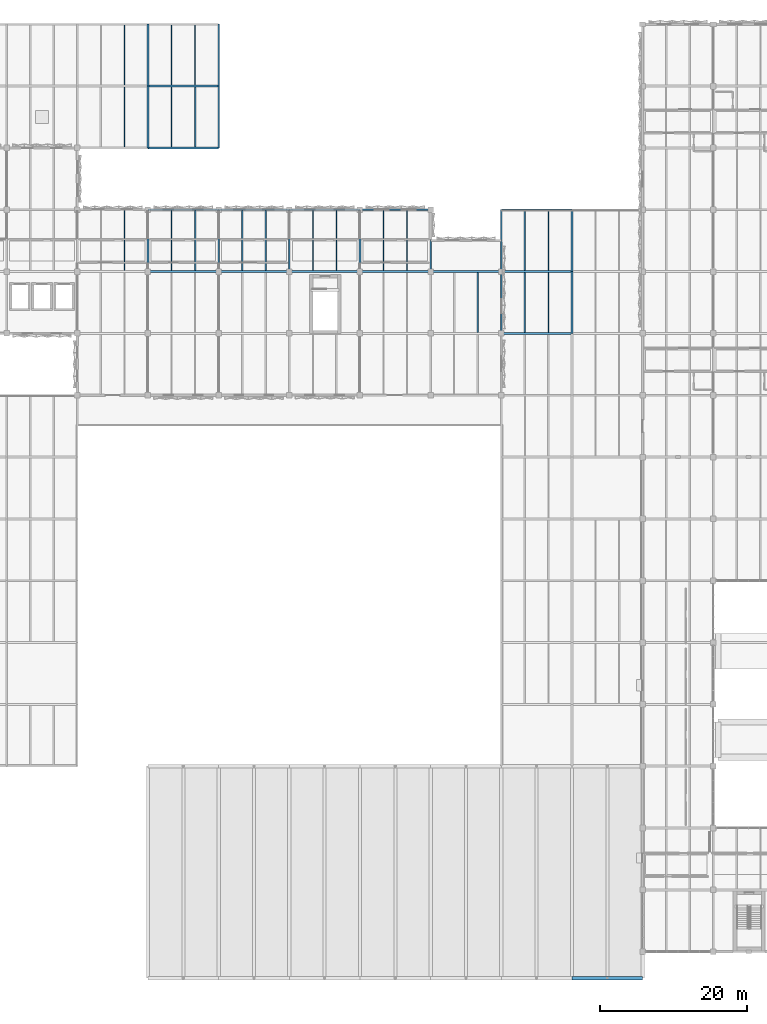
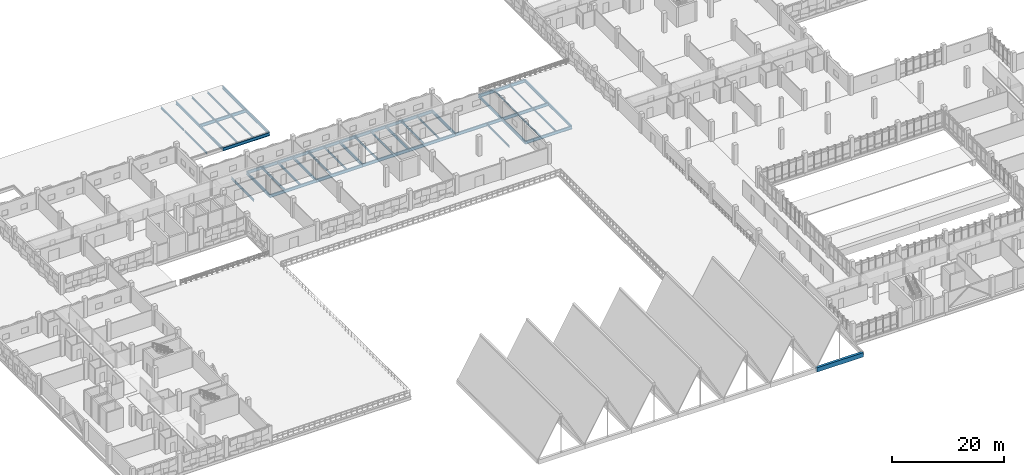
# One storey, part 14 of 86: 48 beams, 1 element without a shape of its own.
"""IFC4 building model written with IfcOpenShell, lengths in metres."""

from ifc_helpers import new_model, si_unit, direction, frame, origin, origin_2d, place, context, subcontext, project, spatial, rectangle, i_section, extrude, material, material_profile, profile_set, type_object, element, aggregate, save


model = new_model("IFC4")

# Units and contexts
model_context = context("Model", 3, precision=1e-05, world=origin(), true_north=direction((0.0, 1.0)))
body_context = subcontext(model_context, "Body", "Model", "MODEL_VIEW")
ifc_project = project(units=[si_unit("LENGTHUNIT", "METRE"), si_unit("AREAUNIT", "SQUARE_METRE"), si_unit("VOLUMEUNIT", "CUBIC_METRE"), si_unit("PLANEANGLEUNIT", "RADIAN"), si_unit("MASSUNIT", "GRAM", prefix="KILO")], contexts=[model_context])

# Site, building, storey
site_placement = place(None, origin())
site = spatial("IfcSite", under=ifc_project, at=site_placement, CompositionType="ELEMENT")
building_placement = place(site_placement, origin())
building = spatial("IfcBuilding", under=site, at=building_placement, Name="Oolite Switchyard Hospital", CompositionType="ELEMENT")
storey_placement = place(building_placement, frame((0.0, 0.0, 13.5)))
storey = spatial("IfcBuildingStorey", under=building, at=storey_placement, Name="L03", CompositionType="ELEMENT", Elevation=13.5)

# Roof, beam
ifc_material_1 = material(Name="Concrete C40/50", Category="concrete")
roof_type = type_object("IfcRoofType", Name="ROOF-FOLDED", PredefinedType="FREEFORM", material=ifc_material_1)
roof_placement = place(storey_placement, origin())
roof = element("IfcRoof", 1, at=roof_placement, inside=storey, type_object=roof_type, Name="L03 Main Arrival Hall Folded-Plate Roof", PredefinedType="FREEFORM")
ifc_material_profile_1 = material_profile(ifc_material_1, rectangle(XDim=0.5, YDim=0.949951171875, at=origin_2d()), Name="RCG500X950")
ifc_profile_set_1 = profile_set([ifc_material_profile_1], Name="Concrete C40/50")
beam_type_1 = type_object("IfcBeamType", Name="BM-GABLE950", PredefinedType="T_BEAM", material=ifc_profile_set_1)
beam_1_placement = place(storey_placement, frame((124.800048828125, 4.800048828125, -0.47509765625), z_axis=(1.0, 0.0, 0.0), x_axis=(0.0, 1.0, 0.0)))
beam_1 = element("IfcBeam", 2, at=beam_1_placement, type_object=beam_type_1, Name="Main Hall Gable Diaphragm Tie Beam S7", PredefinedType="T_BEAM", context=body_context, shape_type="SweptSolid", body=[
    extrude(rectangle(XDim=0.5, YDim=0.949951171875, at=origin_2d()), origin(), (0.0, 0.0, 1.0), 9.599853515625),
])
aggregate(roof, [beam_1])

# Beams
ifc_material_2 = material(Name="Steel ASTM A992 Grade 50", Category="steel")
ifc_material_profile_2 = material_profile(ifc_material_2, i_section(OverallWidth=0.1650390625, OverallDepth=0.31005859375, WebThickness=0.006103515625, FlangeThickness=0.010009765625, at=origin_2d()), Name="W12X26")
ifc_profile_set_2 = profile_set([ifc_material_profile_2], Name="Steel ASTM A992 Grade 50")
beam_type_2 = type_object("IfcBeamType", Name="BM-W12X26", PredefinedType="JOIST", material=ifc_profile_set_2)
beam_2_placement = place(storey_placement, frame((121.60009765625, 100.927001953125, -0.445068359375), z_axis=(0.0, 1.0, 0.0), x_axis=(-1.0, 0.0, 0.0)))
element("IfcBeam", 3, at=beam_2_placement, inside=storey, type_object=beam_type_2, Name="L03 Secondary Steel Joist 2573", PredefinedType="JOIST", context=body_context, shape_type="SweptSolid", body=[
    extrude(i_section(OverallWidth=0.1650390625, OverallDepth=0.31005859375, WebThickness=0.006103515625, FlangeThickness=0.010009765625, at=origin_2d()), origin(), (0.0, 0.0, 1.0), 8.14599609375),
])
ifc_material_profile_3 = material_profile(ifc_material_2, i_section(OverallWidth=0.1708984375, OverallDepth=0.35107421875, WebThickness=0.007080078125, FlangeThickness=0.010009765625, at=origin_2d()), Name="W14X30")
ifc_profile_set_3 = profile_set([ifc_material_profile_3], Name="Steel ASTM A992 Grade 50")
beam_type_3 = type_object("IfcBeamType", Name="BM-W14X30", PredefinedType="JOIST", material=ifc_profile_set_3)
for number, where, z_axis, x_axis, name in (
    (4, (121.60009765625, 92.527099609375, -0.465087890625), (0.0, 1.0, 0.0), (-1.0, 0.0, 0.0), "L03 Secondary Steel Joist 2571"),
    (5, (118.39990234375, 100.927001953125, -0.465087890625), (0.0, 1.0, 0.0), (-1.0, 0.0, 0.0), "L03 Secondary Steel Joist 2572"),
):
    element("IfcBeam", number, at=place(storey_placement, frame(where, z_axis=z_axis, x_axis=x_axis)), inside=storey, type_object=beam_type_3, Name=name, PredefinedType="JOIST", context=body_context, shape_type="SweptSolid", body=[
        extrude(i_section(OverallWidth=0.1708984375, OverallDepth=0.35107421875, WebThickness=0.007080078125, FlangeThickness=0.010009765625, at=origin_2d()), origin(), (0.0, 0.0, 1.0), 8.14599609375),
    ])
ifc_material_profile_4 = material_profile(ifc_material_2, i_section(OverallWidth=0.177978515625, OverallDepth=0.403076171875, WebThickness=0.008056640625, FlangeThickness=0.010986328125, at=origin_2d()), Name="W16X36")
ifc_profile_set_4 = profile_set([ifc_material_profile_4], Name="Steel ASTM A992 Grade 50")
beam_type_4 = type_object("IfcBeamType", Name="BM-W16X36", PredefinedType="JOIST", material=ifc_profile_set_4)
beam_3_placement = place(storey_placement, frame((73.60009765625, 126.126953125, -0.422119140625), z_axis=(0.0, 1.0, 0.0), x_axis=(-1.0, 0.0, 0.0)))
element("IfcBeam", 6, at=beam_3_placement, inside=storey, type_object=beam_type_4, Name="L03 Secondary Steel Joist 2537", PredefinedType="JOIST", context=body_context, shape_type="SweptSolid", body=[
    extrude(i_section(OverallWidth=0.177978515625, OverallDepth=0.403076171875, WebThickness=0.008056640625, FlangeThickness=0.010986328125, at=origin_2d()), origin(), (0.0, 0.0, 1.0), 8.14013671875),
])
for number, where, z_axis, x_axis, name in (
    (7, (102.39990234375, 100.927001953125, -0.47607421875), (0.0, 1.0, 0.0), (-1.0, 0.0, 0.0), "L03 Secondary Steel Joist 2553"),
    (8, (112.0, 92.527099609375, -0.47607421875), (0.0, 1.0, 0.0), (-1.0, 0.0, 0.0), "L03 Secondary Steel Joist 2557"),
    (9, (118.39990234375, 92.527099609375, -0.490966796875), (0.0, 1.0, 0.0), (-1.0, 0.0, 0.0), "L03 Secondary Steel Joist 2570"),
):
    element("IfcBeam", number, at=place(storey_placement, frame(where, z_axis=z_axis, x_axis=x_axis)), inside=storey, type_object=beam_type_4, Name=name, PredefinedType="JOIST", context=body_context, shape_type="SweptSolid", body=[
        extrude(i_section(OverallWidth=0.177978515625, OverallDepth=0.403076171875, WebThickness=0.008056640625, FlangeThickness=0.010986328125, at=origin_2d()), origin(), (0.0, 0.0, 1.0), 8.14599609375),
    ])
ifc_material_profile_5 = material_profile(ifc_material_2, i_section(OverallWidth=0.179931640625, OverallDepth=0.4130859375, WebThickness=0.010009765625, FlangeThickness=0.01611328125, at=origin_2d()), Name="W16X50")
ifc_profile_set_5 = profile_set([ifc_material_profile_5], Name="Steel ASTM A992 Grade 50")
beam_type_5 = type_object("IfcBeamType", Name="BM-W16X50", PredefinedType="JOIST", material=ifc_profile_set_5)
beam_4_placement = place(storey_placement, frame((64.0, 126.126953125, -0.426025390625), z_axis=(0.0, 1.0, 0.0), x_axis=(-1.0, 0.0, 0.0)))
element("IfcBeam", 10, at=beam_4_placement, inside=storey, type_object=beam_type_5, Name="L03 Secondary Steel Joist 2527", PredefinedType="JOIST", context=body_context, shape_type="SweptSolid", body=[
    extrude(i_section(OverallWidth=0.179931640625, OverallDepth=0.4130859375, WebThickness=0.010009765625, FlangeThickness=0.01611328125, at=origin_2d()), origin(), (0.0, 0.0, 1.0), 8.14013671875),
])
beam_5_placement = place(storey_placement, frame((73.60009765625, 117.72705078125, -0.426025390625), z_axis=(0.0, 1.0, 0.0), x_axis=(-1.0, 0.0, 0.0)))
element("IfcBeam", 11, at=beam_5_placement, inside=storey, type_object=beam_type_5, Name="L03 Secondary Steel Joist 2535", PredefinedType="JOIST", context=body_context, shape_type="SweptSolid", body=[
    extrude(i_section(OverallWidth=0.179931640625, OverallDepth=0.4130859375, WebThickness=0.010009765625, FlangeThickness=0.01611328125, at=origin_2d()), origin(), (0.0, 0.0, 1.0), 8.14599609375),
])
beam_6_placement = place(storey_placement, frame((70.39990234375, 126.126953125, -0.426025390625), z_axis=(0.0, 1.0, 0.0), x_axis=(-1.0, 0.0, 0.0)))
element("IfcBeam", 12, at=beam_6_placement, inside=storey, type_object=beam_type_5, Name="L03 Secondary Steel Joist 2536", PredefinedType="JOIST", context=body_context, shape_type="SweptSolid", body=[
    extrude(i_section(OverallWidth=0.179931640625, OverallDepth=0.4130859375, WebThickness=0.010009765625, FlangeThickness=0.01611328125, at=origin_2d()), origin(), (0.0, 0.0, 1.0), 8.14013671875),
])
for number, where, z_axis, x_axis, name in (
    (13, (92.800048828125, 100.927001953125, -0.48193359375), (0.0, 1.0, 0.0), (-1.0, 0.0, 0.0), "L03 Secondary Steel Joist 2547"),
    (14, (99.199951171875, 100.927001953125, -0.48193359375), (0.0, 1.0, 0.0), (-1.0, 0.0, 0.0), "L03 Secondary Steel Joist 2552"),
):
    element("IfcBeam", number, at=place(storey_placement, frame(where, z_axis=z_axis, x_axis=x_axis)), inside=storey, type_object=beam_type_5, Name=name, PredefinedType="JOIST", context=body_context, shape_type="SweptSolid", body=[
        extrude(i_section(OverallWidth=0.179931640625, OverallDepth=0.4130859375, WebThickness=0.010009765625, FlangeThickness=0.01611328125, at=origin_2d()), origin(), (0.0, 0.0, 1.0), 8.14599609375),
    ])
ifc_material_profile_6 = material_profile(ifc_material_2, i_section(OverallWidth=0.153076171875, OverallDepth=0.455078125, WebThickness=0.008056640625, FlangeThickness=0.012939453125, at=origin_2d()), Name="W18X40")
ifc_profile_set_6 = profile_set([ifc_material_profile_6], Name="Steel ASTM A992 Grade 50")
beam_type_6 = type_object("IfcBeamType", Name="BM-W18X40", PredefinedType="JOIST", material=ifc_profile_set_6)
for number, where, z_axis, x_axis, name in (
    (15, (64.0, 117.72705078125, -0.447998046875), (0.0, 1.0, 0.0), (-1.0, 0.0, 0.0), "L03 Secondary Steel Joist 2525"),
    (16, (70.39990234375, 117.72705078125, -0.447998046875), (0.0, 1.0, 0.0), (-1.0, 0.0, 0.0), "L03 Secondary Steel Joist 2534"),
    (17, (83.199951171875, 100.927001953125, -0.501953125), (0.0, 1.0, 0.0), (-1.0, 0.0, 0.0), "L03 Secondary Steel Joist 2543"),
    (18, (89.60009765625, 100.927001953125, -0.501953125), (0.0, 1.0, 0.0), (-1.0, 0.0, 0.0), "L03 Secondary Steel Joist 2546"),
):
    element("IfcBeam", number, at=place(storey_placement, frame(where, z_axis=z_axis, x_axis=x_axis)), inside=storey, type_object=beam_type_6, Name=name, PredefinedType="JOIST", context=body_context, shape_type="SweptSolid", body=[
        extrude(i_section(OverallWidth=0.153076171875, OverallDepth=0.455078125, WebThickness=0.008056640625, FlangeThickness=0.012939453125, at=origin_2d()), origin(), (0.0, 0.0, 1.0), 8.14599609375),
    ])
ifc_material_profile_7 = material_profile(ifc_material_2, i_section(OverallWidth=0.19091796875, OverallDepth=0.4599609375, WebThickness=0.010009765625, FlangeThickness=0.01611328125, at=origin_2d()), Name="W18X55")
ifc_profile_set_7 = profile_set([ifc_material_profile_7], Name="Steel ASTM A992 Grade 50")
beam_type_7 = type_object("IfcBeamType", Name="BM-W18X55", PredefinedType="JOIST", material=ifc_profile_set_7)
for number, where, z_axis, x_axis, name in (
    (19, (73.60009765625, 100.927001953125, -0.5048828125), (0.0, 1.0, 0.0), (-1.0, 0.0, 0.0), "L03 Secondary Steel Joist 2533"),
    (20, (80.0, 100.927001953125, -0.5048828125), (0.0, 1.0, 0.0), (-1.0, 0.0, 0.0), "L03 Secondary Steel Joist 2542"),
):
    element("IfcBeam", number, at=place(storey_placement, frame(where, z_axis=z_axis, x_axis=x_axis)), inside=storey, type_object=beam_type_7, Name=name, PredefinedType="JOIST", context=body_context, shape_type="SweptSolid", body=[
        extrude(i_section(OverallWidth=0.19091796875, OverallDepth=0.4599609375, WebThickness=0.010009765625, FlangeThickness=0.01611328125, at=origin_2d()), origin(), (0.0, 0.0, 1.0), 8.14599609375),
    ])
ifc_material_profile_8 = material_profile(ifc_material_2, i_section(OverallWidth=0.166015625, OverallDepth=0.529052734375, WebThickness=0.010009765625, FlangeThickness=0.013916015625, at=origin_2d()), Name="W21X50")
ifc_profile_set_8 = profile_set([ifc_material_profile_8], Name="Steel ASTM A992 Grade 50")
beam_type_8 = type_object("IfcBeamType", Name="BM-W21X50", PredefinedType="JOIST", material=ifc_profile_set_8)
for number, where, z_axis, x_axis, name in (
    (21, (64.0, 100.927001953125, -0.5400390625), (0.0, 1.0, 0.0), (-1.0, 0.0, 0.0), "L03 Secondary Steel Joist 2523"),
    (22, (70.39990234375, 100.927001953125, -0.5400390625), (0.0, 1.0, 0.0), (-1.0, 0.0, 0.0), "L03 Secondary Steel Joist 2532"),
):
    element("IfcBeam", number, at=place(storey_placement, frame(where, z_axis=z_axis, x_axis=x_axis)), inside=storey, type_object=beam_type_8, Name=name, PredefinedType="JOIST", context=body_context, shape_type="SweptSolid", body=[
        extrude(i_section(OverallWidth=0.166015625, OverallDepth=0.529052734375, WebThickness=0.010009765625, FlangeThickness=0.013916015625, at=origin_2d()), origin(), (0.0, 0.0, 1.0), 8.14599609375),
    ])
ifc_material_profile_9 = material_profile(ifc_material_2, i_section(OverallWidth=0.22900390625, OverallDepth=0.612060546875, WebThickness=0.011962890625, FlangeThickness=0.02001953125, at=origin_2d()), Name="W24X84")
ifc_profile_set_9 = profile_set([ifc_material_profile_9], Name="Steel ASTM A992 Grade 50")
beam_type_9 = type_object("IfcBeamType", Name="BM-W24X84", PredefinedType="BEAM", material=ifc_profile_set_9)
for number, where, z_axis, x_axis, name in (
    (23, (67.199951171875, 100.800048828125, -0.5810546875), (0.0, 1.0, 0.0), (-1.0, 0.0, 0.0), "L03 Y-Girder 2248"),
    (24, (67.199951171875, 117.60009765625, -0.52587890625), (0.0, 1.0, 0.0), (-1.0, 0.0, 0.0), "L03 Y-Girder 2249"),
    (25, (67.199951171875, 126.0, -0.52587890625), (0.0, 1.0, 0.0), (-1.0, 0.0, 0.0), "L03 Y-Girder 2250"),
    (26, (76.800048828125, 100.800048828125, -0.5810546875), (0.0, 1.0, 0.0), (-1.0, 0.0, 0.0), "L03 Y-Girder 2253"),
    (27, (76.800048828125, 117.60009765625, -0.52587890625), (0.0, 1.0, 0.0), (-1.0, 0.0, 0.0), "L03 Y-Girder 2254"),
    (28, (76.800048828125, 126.0, -0.52587890625), (0.0, 1.0, 0.0), (-1.0, 0.0, 0.0), "L03 Y-Girder 2255"),
    (29, (86.39990234375, 100.800048828125, -0.5810546875), (0.0, 1.0, 0.0), (-1.0, 0.0, 0.0), "L03 Y-Girder 2258"),
    (30, (96.0, 100.800048828125, -0.5810546875), (0.0, 1.0, 0.0), (-1.0, 0.0, 0.0), "L03 Y-Girder 2261"),
    (31, (105.60009765625, 100.800048828125, -0.5810546875), (0.0, 1.0, 0.0), (-1.0, 0.0, 0.0), "L03 Y-Girder 2264"),
):
    element("IfcBeam", number, at=place(storey_placement, frame(where, z_axis=z_axis, x_axis=x_axis)), inside=storey, type_object=beam_type_9, Name=name, PredefinedType="BEAM", context=body_context, shape_type="SweptSolid", body=[
        extrude(i_section(OverallWidth=0.22900390625, OverallDepth=0.612060546875, WebThickness=0.011962890625, FlangeThickness=0.02001953125, at=origin_2d()), origin(), (0.0, 0.0, 1.0), 8.39990234375),
    ])
beam_7_placement = place(storey_placement, frame((115.199951171875, 92.39990234375, -0.595947265625), z_axis=(0.0, 1.0, 0.0), x_axis=(-1.0, 0.0, 0.0)))
element("IfcBeam", 32, at=beam_7_placement, inside=storey, type_object=beam_type_9, Name="L03 Y-Girder 2272", PredefinedType="BEAM", context=body_context, shape_type="SweptSolid", body=[
    extrude(i_section(OverallWidth=0.22900390625, OverallDepth=0.612060546875, WebThickness=0.011962890625, FlangeThickness=0.02001953125, at=origin_2d()), origin(), (0.0, 0.0, 1.0), 8.400146484375),
])
beam_8_placement = place(storey_placement, frame((115.199951171875, 100.800048828125, -0.595947265625), z_axis=(0.0, 1.0, 0.0), x_axis=(-1.0, 0.0, 0.0)))
element("IfcBeam", 33, at=beam_8_placement, inside=storey, type_object=beam_type_9, Name="L03 Y-Girder 2273", PredefinedType="BEAM", context=body_context, shape_type="SweptSolid", body=[
    extrude(i_section(OverallWidth=0.22900390625, OverallDepth=0.612060546875, WebThickness=0.011962890625, FlangeThickness=0.02001953125, at=origin_2d()), origin(), (0.0, 0.0, 1.0), 8.39990234375),
])
beam_9_placement = place(storey_placement, frame((124.800048828125, 92.39990234375, -0.595947265625), z_axis=(0.0, 1.0, 0.0), x_axis=(-1.0, 0.0, 0.0)))
element("IfcBeam", 34, at=beam_9_placement, inside=storey, type_object=beam_type_9, Name="L03 Y-Girder 2281", PredefinedType="BEAM", context=body_context, shape_type="SweptSolid", body=[
    extrude(i_section(OverallWidth=0.22900390625, OverallDepth=0.612060546875, WebThickness=0.011962890625, FlangeThickness=0.02001953125, at=origin_2d()), origin(), (0.0, 0.0, 1.0), 8.400146484375),
])
beam_10_placement = place(storey_placement, frame((124.800048828125, 100.800048828125, -0.595947265625), z_axis=(0.0, 1.0, 0.0), x_axis=(-1.0, 0.0, 0.0)))
element("IfcBeam", 35, at=beam_10_placement, inside=storey, type_object=beam_type_9, Name="L03 Y-Girder 2282", PredefinedType="BEAM", context=body_context, shape_type="SweptSolid", body=[
    extrude(i_section(OverallWidth=0.22900390625, OverallDepth=0.612060546875, WebThickness=0.011962890625, FlangeThickness=0.02001953125, at=origin_2d()), origin(), (0.0, 0.0, 1.0), 8.39990234375),
])
ifc_material_profile_10 = material_profile(ifc_material_2, i_section(OverallWidth=0.25390625, OverallDepth=0.68408203125, WebThickness=0.011962890625, FlangeThickness=0.01904296875, at=origin_2d()), Name="W27X94")
ifc_profile_set_10 = profile_set([ifc_material_profile_10], Name="Steel ASTM A992 Grade 50")
beam_type_10 = type_object("IfcBeamType", Name="BM-W27X94", PredefinedType="BEAM", material=ifc_profile_set_10)
for number, where, z_axis, x_axis, name in (
    (36, (115.199951171875, 92.39990234375, -0.632080078125), (1.0, 0.0, 0.0), (0.0, 1.0, 0.0), "L03 X-Girder 2068"),
    (37, (67.199951171875, 100.800048828125, -0.616943359375), (1.0, 0.0, 0.0), (0.0, 1.0, 0.0), "L03 X-Girder 2081"),
):
    element("IfcBeam", number, at=place(storey_placement, frame(where, z_axis=z_axis, x_axis=x_axis)), inside=storey, type_object=beam_type_10, Name=name, PredefinedType="BEAM", context=body_context, shape_type="SweptSolid", body=[
        extrude(i_section(OverallWidth=0.25390625, OverallDepth=0.68408203125, WebThickness=0.011962890625, FlangeThickness=0.01904296875, at=origin_2d()), origin(), (0.0, 0.0, 1.0), 9.60009765625),
    ])
beam_11_placement = place(storey_placement, frame((76.800048828125, 100.800048828125, -0.616943359375), z_axis=(1.0, 0.0, 0.0), x_axis=(0.0, 1.0, 0.0)))
element("IfcBeam", 38, at=beam_11_placement, inside=storey, type_object=beam_type_10, Name="L03 X-Girder 2082", PredefinedType="BEAM", context=body_context, shape_type="SweptSolid", body=[
    extrude(i_section(OverallWidth=0.25390625, OverallDepth=0.68408203125, WebThickness=0.011962890625, FlangeThickness=0.01904296875, at=origin_2d()), origin(), (0.0, 0.0, 1.0), 9.599853515625),
])
for number, where, z_axis, x_axis, name in (
    (39, (86.39990234375, 100.800048828125, -0.616943359375), (1.0, 0.0, 0.0), (0.0, 1.0, 0.0), "L03 X-Girder 2083"),
    (40, (96.0, 100.800048828125, -0.616943359375), (1.0, 0.0, 0.0), (0.0, 1.0, 0.0), "L03 X-Girder 2084"),
):
    element("IfcBeam", number, at=place(storey_placement, frame(where, z_axis=z_axis, x_axis=x_axis)), inside=storey, type_object=beam_type_10, Name=name, PredefinedType="BEAM", context=body_context, shape_type="SweptSolid", body=[
        extrude(i_section(OverallWidth=0.25390625, OverallDepth=0.68408203125, WebThickness=0.011962890625, FlangeThickness=0.01904296875, at=origin_2d()), origin(), (0.0, 0.0, 1.0), 9.60009765625),
    ])
beam_12_placement = place(storey_placement, frame((105.60009765625, 100.800048828125, -0.616943359375), z_axis=(1.0, 0.0, 0.0), x_axis=(0.0, 1.0, 0.0)))
element("IfcBeam", 41, at=beam_12_placement, inside=storey, type_object=beam_type_10, Name="L03 X-Girder 2085", PredefinedType="BEAM", context=body_context, shape_type="SweptSolid", body=[
    extrude(i_section(OverallWidth=0.25390625, OverallDepth=0.68408203125, WebThickness=0.011962890625, FlangeThickness=0.01904296875, at=origin_2d()), origin(), (0.0, 0.0, 1.0), 9.599853515625),
])
for number, where, z_axis, x_axis, name in (
    (42, (115.199951171875, 100.800048828125, -0.632080078125), (1.0, 0.0, 0.0), (0.0, 1.0, 0.0), "L03 X-Girder 2086"),
    (43, (67.199951171875, 109.199951171875, -0.616943359375), (1.0, 0.0, 0.0), (0.0, 1.0, 0.0), "L03 X-Girder 2103"),
):
    element("IfcBeam", number, at=place(storey_placement, frame(where, z_axis=z_axis, x_axis=x_axis)), inside=storey, type_object=beam_type_10, Name=name, PredefinedType="BEAM", context=body_context, shape_type="SweptSolid", body=[
        extrude(i_section(OverallWidth=0.25390625, OverallDepth=0.68408203125, WebThickness=0.011962890625, FlangeThickness=0.01904296875, at=origin_2d()), origin(), (0.0, 0.0, 1.0), 9.60009765625),
    ])
beam_13_placement = place(storey_placement, frame((76.800048828125, 109.199951171875, -0.616943359375), z_axis=(1.0, 0.0, 0.0), x_axis=(0.0, 1.0, 0.0)))
element("IfcBeam", 44, at=beam_13_placement, inside=storey, type_object=beam_type_10, Name="L03 X-Girder 2104", PredefinedType="BEAM", context=body_context, shape_type="SweptSolid", body=[
    extrude(i_section(OverallWidth=0.25390625, OverallDepth=0.68408203125, WebThickness=0.011962890625, FlangeThickness=0.01904296875, at=origin_2d()), origin(), (0.0, 0.0, 1.0), 9.599853515625),
])
for number, where, z_axis, x_axis, name in (
    (45, (86.39990234375, 109.199951171875, -0.616943359375), (1.0, 0.0, 0.0), (0.0, 1.0, 0.0), "L03 X-Girder 2105"),
    (46, (96.0, 109.199951171875, -0.616943359375), (1.0, 0.0, 0.0), (0.0, 1.0, 0.0), "L03 X-Girder 2106"),
    (47, (115.199951171875, 109.199951171875, -0.632080078125), (1.0, 0.0, 0.0), (0.0, 1.0, 0.0), "L03 X-Girder 2107"),
    (48, (67.199951171875, 117.60009765625, -0.56201171875), (1.0, 0.0, 0.0), (0.0, 1.0, 0.0), "L03 X-Girder 2124"),
    (49, (67.199951171875, 126.0, -0.56201171875), (1.0, 0.0, 0.0), (0.0, 1.0, 0.0), "L03 X-Girder 2140"),
):
    element("IfcBeam", number, at=place(storey_placement, frame(where, z_axis=z_axis, x_axis=x_axis)), inside=storey, type_object=beam_type_10, Name=name, PredefinedType="BEAM", context=body_context, shape_type="SweptSolid", body=[
        extrude(i_section(OverallWidth=0.25390625, OverallDepth=0.68408203125, WebThickness=0.011962890625, FlangeThickness=0.01904296875, at=origin_2d()), origin(), (0.0, 0.0, 1.0), 9.60009765625),
    ])

save(model, "model.ifc")
